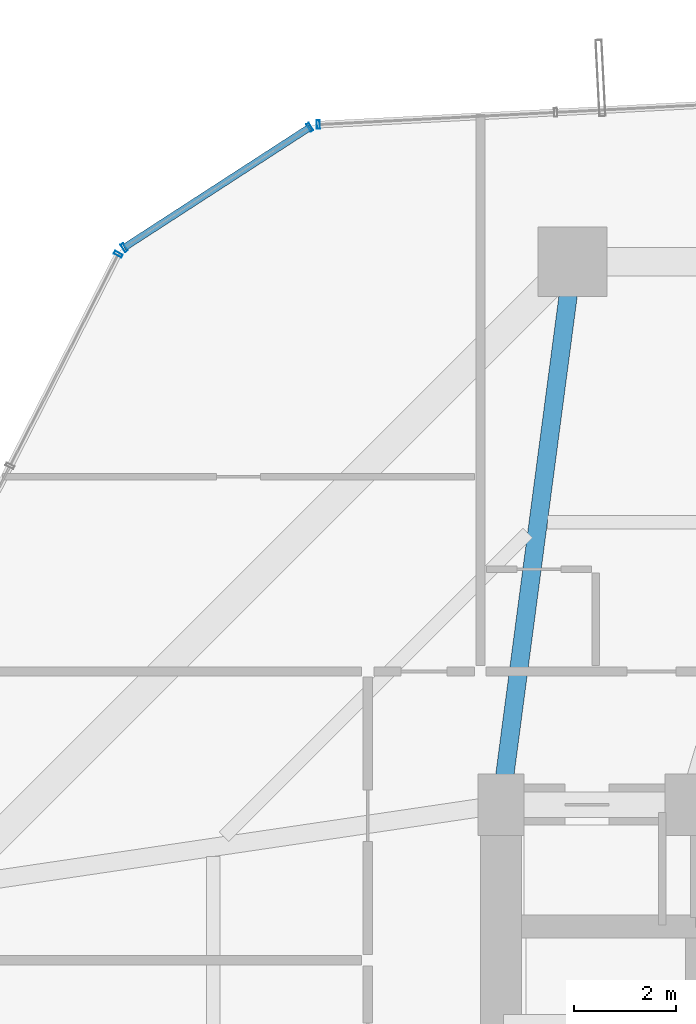
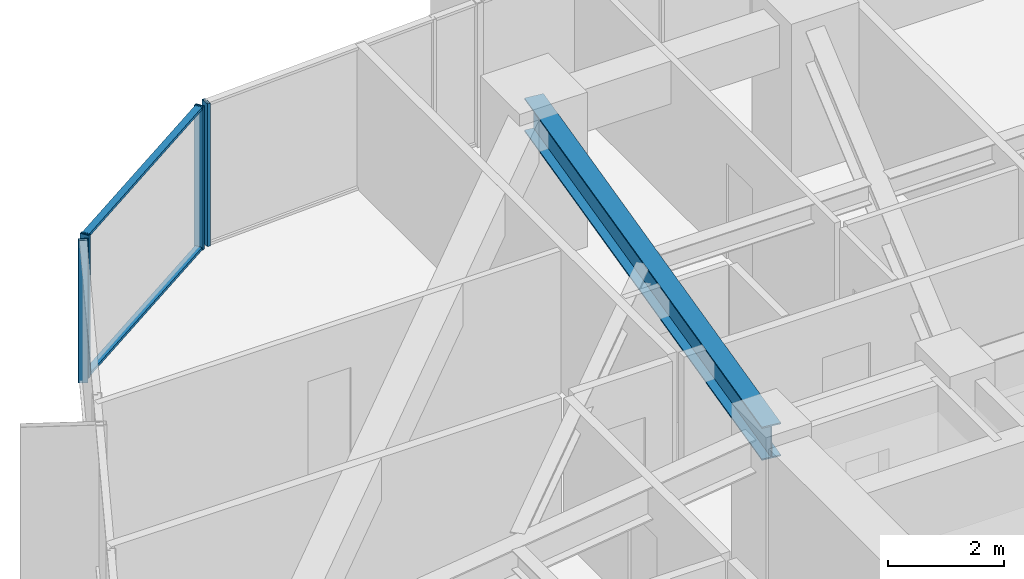
# One storey, part 23 of 37: 6 members, 1 beam, 3 elements without a shape of their own.
"""IFC4 building model written with IfcOpenShell, lengths in metres."""

from ifc_helpers import new_model, si_unit, direction, frame, origin, origin_2d, place, context, subcontext, project, spatial, hollow_rectangle, i_section, extrude, source, transform, mapped, material, layer, layer_set, material_profile, profile_set, type_object, element, aggregate, save


model = new_model("IFC4")

# Units and contexts
model_context = context("Model", 3, precision=1e-05, world=origin(), true_north=direction((0.0, 1.0)))
body_context = subcontext(model_context, "Body", "Model", "MODEL_VIEW")
ifc_project = project(units=[si_unit("LENGTHUNIT", "METRE"), si_unit("AREAUNIT", "SQUARE_METRE"), si_unit("VOLUMEUNIT", "CUBIC_METRE"), si_unit("PLANEANGLEUNIT", "RADIAN"), si_unit("MASSUNIT", "GRAM", prefix="KILO")], contexts=[model_context])

# Site, building, storey
site_placement = place(None, origin())
site = spatial("IfcSite", under=ifc_project, at=site_placement, CompositionType="ELEMENT")
building_placement = place(site_placement, origin())
building = spatial("IfcBuilding", under=site, at=building_placement, Name="Veraguas Prism Commons", CompositionType="ELEMENT")
storey_placement = place(building_placement, frame((0.0, 0.0, 33.800048828125)))
storey = spatial("IfcBuildingStorey", under=building, at=storey_placement, Name="L08", CompositionType="ELEMENT", Elevation=33.800048828125)

# Beam
ifc_material_1 = material(Name="Steel ASTM A992 Grade 50", Category="steel")
ifc_material_profile_1 = material_profile(ifc_material_1, i_section(OverallWidth=0.35595703125, OverallDepth=0.700927734375, WebThickness=0.016845703125, FlangeThickness=0.02734375, at=origin_2d()), Name="W690X240")
ifc_profile_set_1 = profile_set([ifc_material_profile_1], Name="Steel ASTM A992 Grade 50")
beam_type = type_object("IfcBeamType", Name="Zone 1 Radial Girder W690x240", PredefinedType="BEAM", material=ifc_profile_set_1)
beam_placement = place(storey_placement, frame((18.60009765625, 41.60009765625, 2.6494140625), z_axis=(-0.130950648891, -0.991388888154, 0.0), x_axis=(0.991388888154, -0.130950648891, 0.0)))
element("IfcBeam", 1, at=beam_placement, inside=storey, type_object=beam_type, Name="Radial Floor Girder L08-RD06", PredefinedType="BEAM", context=body_context, shape_type="SweptSolid", body=[
    extrude(i_section(OverallWidth=0.35595703125, OverallDepth=0.700927734375, WebThickness=0.016845703125, FlangeThickness=0.02734375, at=origin_2d()), origin(), (0.0, 0.0, 1.0), 10.692138671875),
])

# Curtain wall, member
ifc_material_2 = material(Name="Anodised aluminium EN AW-6063 T6", Category="aluminium")
ifc_layer = layer(ifc_material_2, 0.169921875, Name="Unitised Flush Curtain Wall Zone 1", Category="aluminium")
ifc_layer_set = layer_set([ifc_layer], Name="Anodised aluminium EN AW-6063 T6")
curtain_wall_type = type_object("IfcCurtainWallType", Name="Unitised Flush Curtain Wall Zone 1", PredefinedType="NOTDEFINED", material=ifc_layer_set)
curtain_wall_1_placement = place(storey_placement, origin())
curtain_wall_1 = element("IfcCurtainWall", 2, at=curtain_wall_1_placement, inside=storey, type_object=curtain_wall_type, Name="Tower Facade Curtain Wall L08-F2", PredefinedType="NOTDEFINED")
ifc_material_profile_2 = material_profile(ifc_material_2, hollow_rectangle(XDim=0.06005859375, YDim=0.169921875, WallThickness=0.00390625, at=origin_2d()), Name="AL60X170X4")
ifc_profile_set_2 = profile_set([ifc_material_profile_2], Name="Anodised aluminium EN AW-6063 T6")
member_type_1 = type_object("IfcMemberType", Name="Curtain Wall Mullion Lower AL 60x170x4", PredefinedType="MULLION", material=ifc_profile_set_2)
shared_shape_1 = source(origin(), body_context, "Body", "SweptSolid", [
    extrude(hollow_rectangle(XDim=0.06005859375, YDim=0.169921875, WallThickness=0.00390625, at=origin_2d()), origin(), (0.0, 0.0, 1.0), 3.0),
])
member_1_placement = place(storey_placement, frame((13.63427734375, 44.279541015625, 0.0), z_axis=(0.0, 0.0, 1.0), x_axis=(-0.99868379327, -0.051290165334, 0.0)))
member_1 = element("IfcMember", 3, at=member_1_placement, type_object=member_type_1, Name="CW-Z1 Mullion 5", PredefinedType="MULLION", context=body_context, shape_type="MappedRepresentation", body=[
    mapped(shared_shape_1, transform((0.0, 0.0, 0.0), scale=1.0)),
])
aggregate(curtain_wall_1, [member_1])

curtain_wall_2_placement = place(storey_placement, origin())
curtain_wall_2 = element("IfcCurtainWall", 4, at=curtain_wall_2_placement, inside=storey, type_object=curtain_wall_type, Name="Tower Facade Curtain Wall L08-F3", PredefinedType="NOTDEFINED")
member_2_placement = place(storey_placement, frame((9.726806640625, 41.748046875, 0.0), z_axis=(0.0, 0.0, 1.0), x_axis=(-0.454921756221, -0.890531411976, 0.0)))
member_2 = element("IfcMember", 5, at=member_2_placement, type_object=member_type_1, Name="CW-Z1 Mullion 1", PredefinedType="MULLION", context=body_context, shape_type="MappedRepresentation", body=[
    mapped(shared_shape_1, transform((0.0, 0.0, 0.0), scale=1.0)),
])
aggregate(curtain_wall_2, [member_2])

# Curtain wall, members
curtain_wall_3_placement = place(storey_placement, origin())
curtain_wall_3 = element("IfcCurtainWall", 6, at=curtain_wall_3_placement, inside=storey, type_object=curtain_wall_type, Name="Chamfer Curtain Wall L08-C3", PredefinedType="NOTDEFINED")
member_3_placement = place(storey_placement, frame((13.46875, 44.22607421875, 0.0), z_axis=(0.0, 0.0, 1.0), x_axis=(-0.839232860242, -0.543772200733, 0.0)))
member_3 = element("IfcMember", 7, at=member_3_placement, type_object=member_type_1, Name="CW-Z1 Mullion 1", PredefinedType="MULLION", context=body_context, shape_type="MappedRepresentation", body=[
    mapped(shared_shape_1, transform((0.0, 0.0, 0.0), scale=1.0)),
])
member_4_placement = place(storey_placement, frame((9.84326171875, 41.876953125, 0.0), z_axis=(0.0, 0.0, 1.0), x_axis=(-0.839232860242, -0.543772200733, 0.0)))
member_4 = element("IfcMember", 8, at=member_4_placement, type_object=member_type_1, Name="CW-Z1 Mullion 2", PredefinedType="MULLION", context=body_context, shape_type="MappedRepresentation", body=[
    mapped(shared_shape_1, transform((0.0, 0.0, 0.0), scale=1.0)),
])
ifc_material_profile_3 = material_profile(ifc_material_2, hollow_rectangle(XDim=0.054931640625, YDim=0.135009765625, WallThickness=0.0029296875, at=origin_2d()), Name="AL55X135X3")
ifc_profile_set_3 = profile_set([ifc_material_profile_3], Name="Anodised aluminium EN AW-6063 T6")
member_type_2 = type_object("IfcMemberType", Name="Curtain Wall Transom Standard AL 55x135x3", PredefinedType="USERDEFINED", material=ifc_profile_set_3)
shared_shape_2 = source(origin(), body_context, "Body", "SweptSolid", [
    extrude(hollow_rectangle(XDim=0.054931640625, YDim=0.135009765625, WallThickness=0.0029296875, at=origin_2d()), origin(), (0.0, 0.0, 1.0), 4.320068359375),
])
member_5_placement = place(storey_placement, frame((13.46875, 44.22607421875, 0.02734375), z_axis=(-0.839230358747, -0.543776061405, 0.0), x_axis=(0.0, 0.0, 1.0)))
member_5 = element("IfcMember", 9, at=member_5_placement, type_object=member_type_2, Name="CW-Z1 Transom 1", ObjectType="TRANSOM", PredefinedType="USERDEFINED", context=body_context, shape_type="MappedRepresentation", body=[
    mapped(shared_shape_2, transform((0.0, 0.0, 0.0), scale=1.0)),
])
member_6_placement = place(storey_placement, frame((13.46875, 44.22607421875, 2.972412109375), z_axis=(-0.839230358747, -0.543776061405, 0.0), x_axis=(0.0, 0.0, 1.0)))
member_6 = element("IfcMember", 10, at=member_6_placement, type_object=member_type_2, Name="CW-Z1 Transom 2", ObjectType="TRANSOM", PredefinedType="USERDEFINED", context=body_context, shape_type="MappedRepresentation", body=[
    mapped(shared_shape_2, transform((0.0, 0.0, 0.0), scale=1.0)),
])
aggregate(curtain_wall_3, [member_3, member_4, member_5, member_6])

save(model, "model.ifc")
